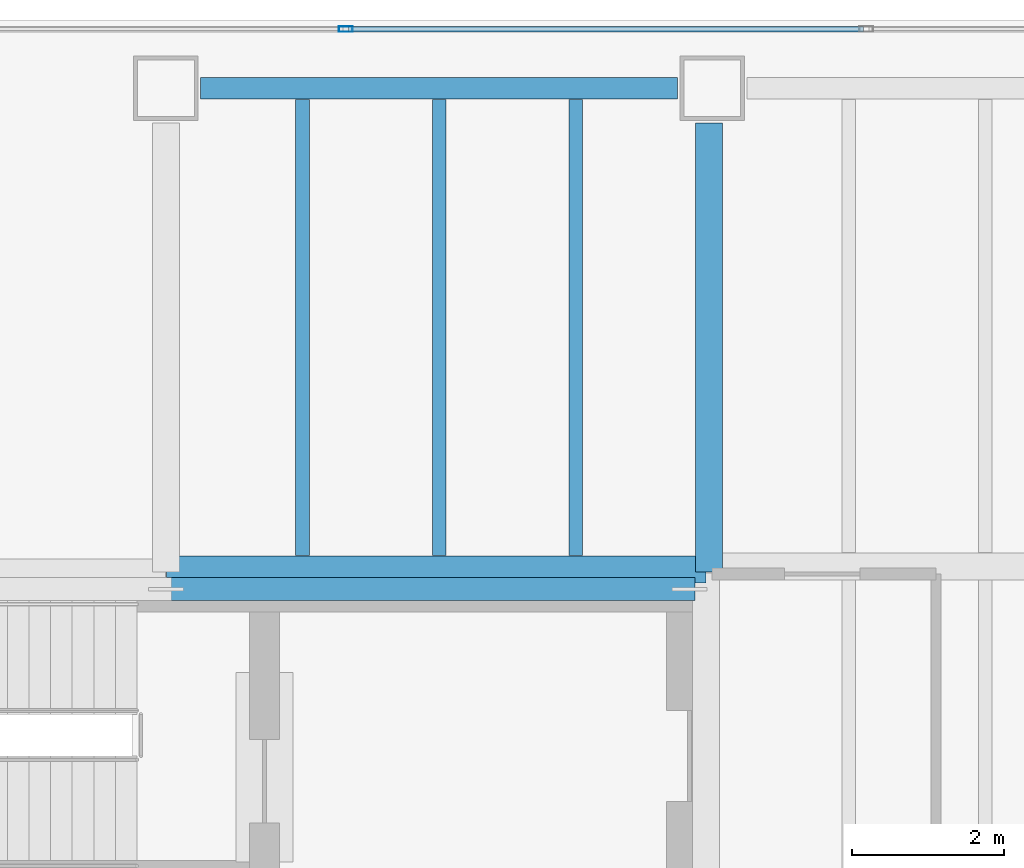
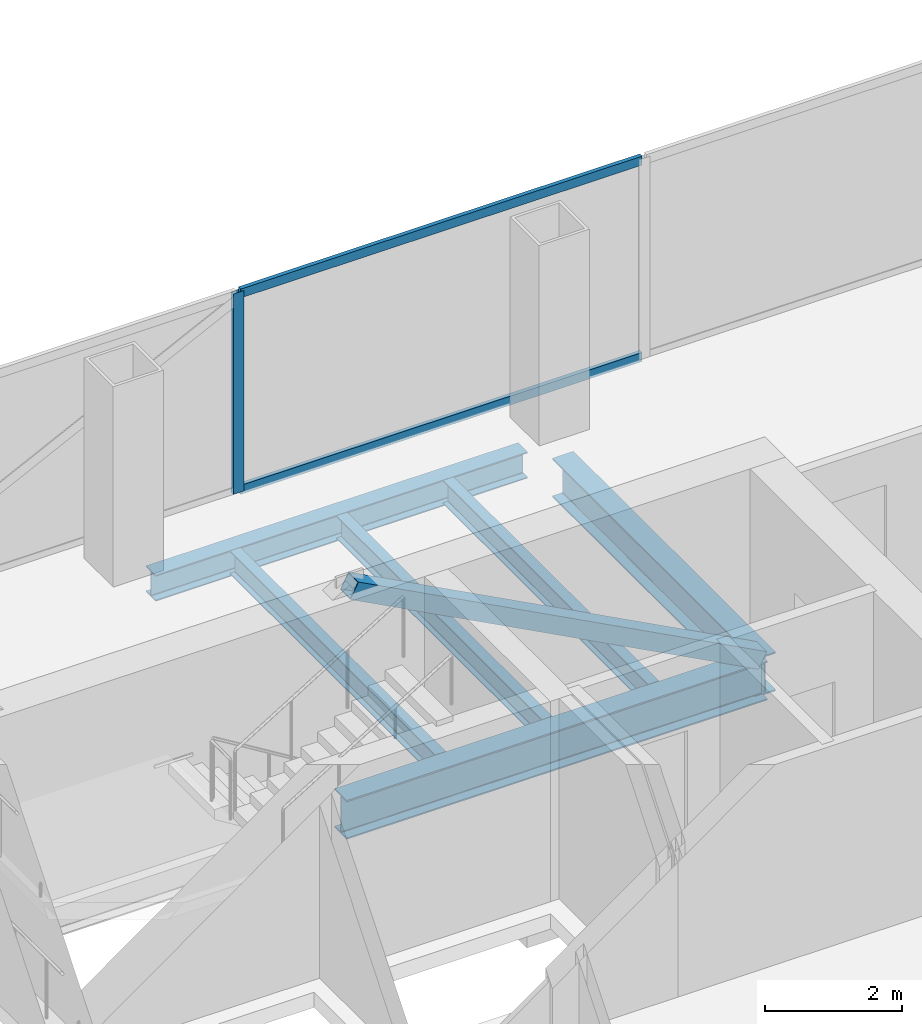
# One storey, part 17 of 23: 6 beams, 4 members, 1 element without a shape of its own.
"""IFC4 building model written with IfcOpenShell, lengths in metres."""

from ifc_helpers import new_model, si_unit, direction, frame, origin, origin_2d, place, context, subcontext, project, spatial, hollow_rectangle, i_section, extrude, material, material_profile, profile_set, type_object, element, aggregate, save


model = new_model("IFC4")

# Units and contexts
model_context = context("Model", 3, precision=1e-05, world=origin(), true_north=direction((0.0, 1.0)))
body_context = subcontext(model_context, "Body", "Model", "MODEL_VIEW")
ifc_project = project(units=[si_unit("LENGTHUNIT", "METRE"), si_unit("AREAUNIT", "SQUARE_METRE"), si_unit("VOLUMEUNIT", "CUBIC_METRE"), si_unit("PLANEANGLEUNIT", "RADIAN"), si_unit("MASSUNIT", "GRAM", prefix="KILO")], contexts=[model_context])

# Site, building, storey
site_placement = place(None, origin())
site = spatial("IfcSite", under=ifc_project, at=site_placement, CompositionType="ELEMENT")
building_placement = place(site_placement, origin())
building = spatial("IfcBuilding", under=site, at=building_placement, Name="Cobrela Telecom Tower", CompositionType="ELEMENT")
storey_placement = place(building_placement, frame((0.0, 0.0, 148.39990234375)))
storey = spatial("IfcBuildingStorey", under=building, at=storey_placement, Name="L37", CompositionType="ELEMENT", Elevation=148.39990234375)

# Beams
ifc_material_1 = material(Name="Steel ASTM A992 Grade 50", Category="steel")
ifc_material_profile_1 = material_profile(ifc_material_1, i_section(OverallWidth=0.35595703125, OverallDepth=0.696044921875, WebThickness=0.015380859375, FlangeThickness=0.024658203125, FilletRadius=0.01806640625, at=origin_2d()), Name="W27X146")
ifc_profile_set_1 = profile_set([ifc_material_profile_1], Name="Steel ASTM A992 Grade 50")
beam_type_1 = type_object("IfcBeamType", Name="BM-GIRD-05", PredefinedType="USERDEFINED", material=ifc_profile_set_1)
beam_1_placement = place(storey_placement, frame((7.205078125, 35.9599609375, -0.617919921875), z_axis=(1.0, 0.0, 0.0), x_axis=(0.0, 1.0, 0.0)))
element("IfcBeam", 1, at=beam_1_placement, inside=storey, type_object=beam_type_1, Name="L37 Primary Girder X26", ObjectType="GIRDER", PredefinedType="USERDEFINED", context=body_context, shape_type="SweptSolid", body=[
    extrude(i_section(OverallWidth=0.35595703125, OverallDepth=0.696044921875, WebThickness=0.015380859375, FlangeThickness=0.024658203125, FilletRadius=0.01806640625, at=origin_2d()), origin(), (0.0, 0.0, 1.0), 7.10986328125),
])
beam_2_placement = place(storey_placement, frame((14.360107421875, 35.925048828125, -0.617919921875), z_axis=(0.0, 1.0, 0.0), x_axis=(-1.0, 0.0, 0.0)))
element("IfcBeam", 2, at=beam_2_placement, inside=storey, type_object=beam_type_1, Name="L37 Primary Girder Y38", ObjectType="GIRDER", PredefinedType="USERDEFINED", context=body_context, shape_type="SweptSolid", body=[
    extrude(i_section(OverallWidth=0.35595703125, OverallDepth=0.696044921875, WebThickness=0.015380859375, FlangeThickness=0.024658203125, FilletRadius=0.01806640625, at=origin_2d()), origin(), (0.0, 0.0, 1.0), 5.919921875),
])
ifc_material_profile_2 = material_profile(ifc_material_1, i_section(OverallWidth=0.179931640625, OverallDepth=0.4169921875, WebThickness=0.010986328125, FlangeThickness=0.01806640625, FilletRadius=0.011962890625, at=origin_2d()), Name="W16X57")
ifc_profile_set_2 = profile_set([ifc_material_profile_2], Name="Steel ASTM A992 Grade 50")
beam_type_2 = type_object("IfcBeamType", Name="BM-JOIST-04", PredefinedType="JOIST", material=ifc_profile_set_2)
for number, where, z_axis, x_axis, name in (
    (3, (9.0, 36.14306640625, -0.478515625), (0.0, 1.0, 0.0), (-1.0, 0.0, 0.0), "L37 Secondary Composite Floor Beam J01"),
    (4, (10.800048828125, 36.14306640625, -0.478515625), (0.0, 1.0, 0.0), (-1.0, 0.0, 0.0), "L37 Secondary Composite Floor Beam J02"),
    (5, (12.60009765625, 36.14306640625, -0.478515625), (0.0, 1.0, 0.0), (-1.0, 0.0, 0.0), "L37 Secondary Composite Floor Beam J03"),
):
    element("IfcBeam", number, at=place(storey_placement, frame(where, z_axis=z_axis, x_axis=x_axis)), inside=storey, type_object=beam_type_2, Name=name, PredefinedType="JOIST", context=body_context, shape_type="SweptSolid", body=[
        extrude(i_section(OverallWidth=0.179931640625, OverallDepth=0.4169921875, WebThickness=0.010986328125, FlangeThickness=0.01806640625, FilletRadius=0.011962890625, at=origin_2d()), origin(), (0.0, 0.0, 1.0), 6.010986328125),
    ])
ifc_material_profile_3 = material_profile(ifc_material_1, i_section(OverallWidth=0.281982421875, OverallDepth=0.467041015625, WebThickness=0.01220703125, FlangeThickness=0.01953125, FilletRadius=0.012939453125, at=origin_2d()), Name="W18X86")
ifc_profile_set_3 = profile_set([ifc_material_profile_3], Name="Steel ASTM A992 Grade 50")
beam_type_3 = type_object("IfcBeamType", Name="BM-SPAND-04", PredefinedType="SPANDREL", material=ifc_profile_set_3)
beam_3_placement = place(storey_placement, frame((7.655029296875, 42.300048828125, -0.50341796875), z_axis=(1.0, 0.0, 0.0), x_axis=(0.0, 1.0, 0.0)))
element("IfcBeam", 6, at=beam_3_placement, inside=storey, type_object=beam_type_3, Name="L37 Perimeter Spandrel X29", PredefinedType="SPANDREL", context=body_context, shape_type="SweptSolid", body=[
    extrude(i_section(OverallWidth=0.281982421875, OverallDepth=0.467041015625, WebThickness=0.01220703125, FlangeThickness=0.01953125, FilletRadius=0.012939453125, at=origin_2d()), origin(), (0.0, 0.0, 1.0), 6.2900390625),
])

# Curtain wall, members
ifc_material_2 = material(Name="Anodized Bronze Aluminium 6063-T6", Category="aluminium")
curtain_wall_type = type_object("IfcCurtainWallType", Name="CW-SYS-TEL", PredefinedType="USERDEFINED", material=ifc_material_2)
curtain_wall_placement = place(storey_placement, origin())
curtain_wall = element("IfcCurtainWall", 7, at=curtain_wall_placement, inside=storey, type_object=curtain_wall_type, Name="L37 Unitised Bronze Curtain Wall 07", ObjectType="UNITISED CURTAIN WALL", PredefinedType="USERDEFINED")
ifc_material_profile_4 = material_profile(ifc_material_2, hollow_rectangle(XDim=0.074951171875, YDim=0.179931640625, WallThickness=0.00390625, at=origin_2d()), Name="ALU 75x180x4")
ifc_profile_set_4 = profile_set([ifc_material_profile_4], Name="Anodized Bronze Aluminium 6063-T6")
member_type_1 = type_object("IfcMemberType", Name="CW-SYS-TEL-MUL", PredefinedType="MULLION", material=ifc_profile_set_4)
member_1_placement = place(storey_placement, frame((9.570068359375, 43.080078125, 0.0), z_axis=(0.0, 0.0, 1.0), x_axis=(0.0, 1.0, 0.0)))
member_1 = element("IfcMember", 8, at=member_1_placement, type_object=member_type_1, Name="CW-TEL mullion 2", PredefinedType="MULLION", context=body_context, shape_type="SweptSolid", body=[
    extrude(hollow_rectangle(XDim=0.074951171875, YDim=0.179931640625, WallThickness=0.00390625, at=origin_2d()), origin(), (0.0, 0.0, 1.0), 3.580078125),
])
ifc_material_profile_5 = material_profile(ifc_material_2, hollow_rectangle(XDim=0.070068359375, YDim=0.159912109375, WallThickness=0.00390625, at=origin_2d()), Name="ALU 70x160x4")
ifc_profile_set_5 = profile_set([ifc_material_profile_5], Name="Anodized Bronze Aluminium 6063-T6")
member_type_2 = type_object("IfcMemberType", Name="CW-SYS-TEL-TRN", PredefinedType="USERDEFINED", material=ifc_profile_set_5)
member_2_placement = place(storey_placement, frame((9.607421875, 43.080078125, 0.03515625), z_axis=(1.0, 0.0, 0.0), x_axis=(0.0, 1.0, 0.0)))
member_2 = element("IfcMember", 9, at=member_2_placement, type_object=member_type_2, Name="CW-TEL transom 2.1", ObjectType="TRANSOM", PredefinedType="USERDEFINED", context=body_context, shape_type="SweptSolid", body=[
    extrude(hollow_rectangle(XDim=0.070068359375, YDim=0.159912109375, WallThickness=0.00390625, at=origin_2d()), origin(), (0.0, 0.0, 1.0), 6.78515625),
])
member_3_placement = place(storey_placement, frame((9.607421875, 43.080078125, 3.545166015625), z_axis=(1.0, 0.0, 0.0), x_axis=(0.0, 1.0, 0.0)))
member_3 = element("IfcMember", 10, at=member_3_placement, type_object=member_type_2, Name="CW-TEL transom 2.2", ObjectType="TRANSOM", PredefinedType="USERDEFINED", context=body_context, shape_type="SweptSolid", body=[
    extrude(hollow_rectangle(XDim=0.070068359375, YDim=0.159912109375, WallThickness=0.00390625, at=origin_2d()), origin(), (0.0, 0.0, 1.0), 6.78515625),
])
aggregate(curtain_wall, [member_1, member_2, member_3])

# Member
ifc_material_3 = material(Name="Steel ASTM A572 Grade 50", Category="steel")
ifc_material_profile_6 = material_profile(ifc_material_3, hollow_rectangle(XDim=0.300048828125, YDim=0.300048828125, WallThickness=0.01611328125, at=origin_2d()), Name="HSS 300x300x16")
ifc_profile_set_6 = profile_set([ifc_material_profile_6], Name="Steel ASTM A572 Grade 50")
member_type_3 = type_object("IfcMemberType", Name="MBR-EXO-03", PredefinedType="BRACE", material=ifc_profile_set_6)
member_4_placement = place(storey_placement, frame((14.10009765625, 35.699951171875, -0.039794921875), z_axis=(-0.883422698386, 0.0, 0.468576926423), x_axis=(0.0, -1.0, 0.0)))
element("IfcMember", 11, at=member_4_placement, inside=storey, type_object=member_type_3, Name="L37 Core Flange Steel Brace N2", PredefinedType="BRACE", context=body_context, shape_type="SweptSolid", body=[
    extrude(hollow_rectangle(XDim=0.300048828125, YDim=0.300048828125, WallThickness=0.01611328125, at=origin_2d()), origin(), (0.0, 0.0, 1.0), 7.810791015625),
])

save(model, "model.ifc")
